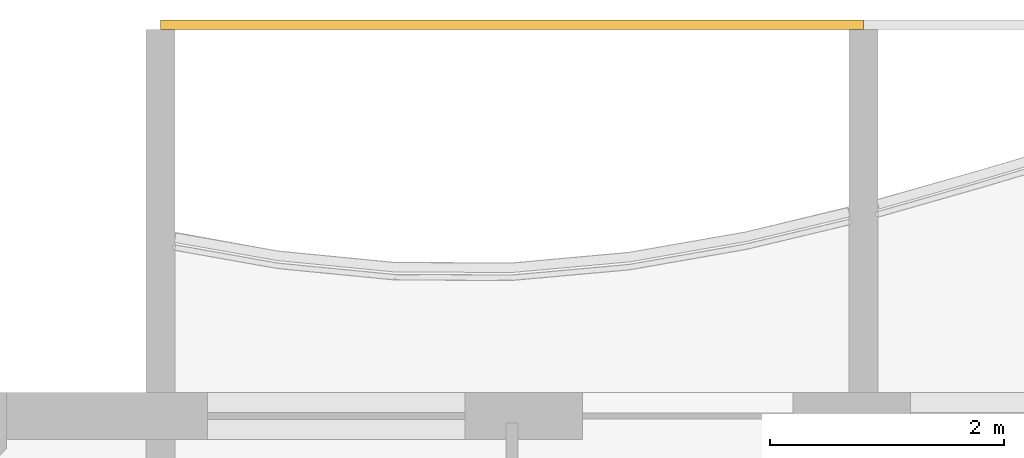
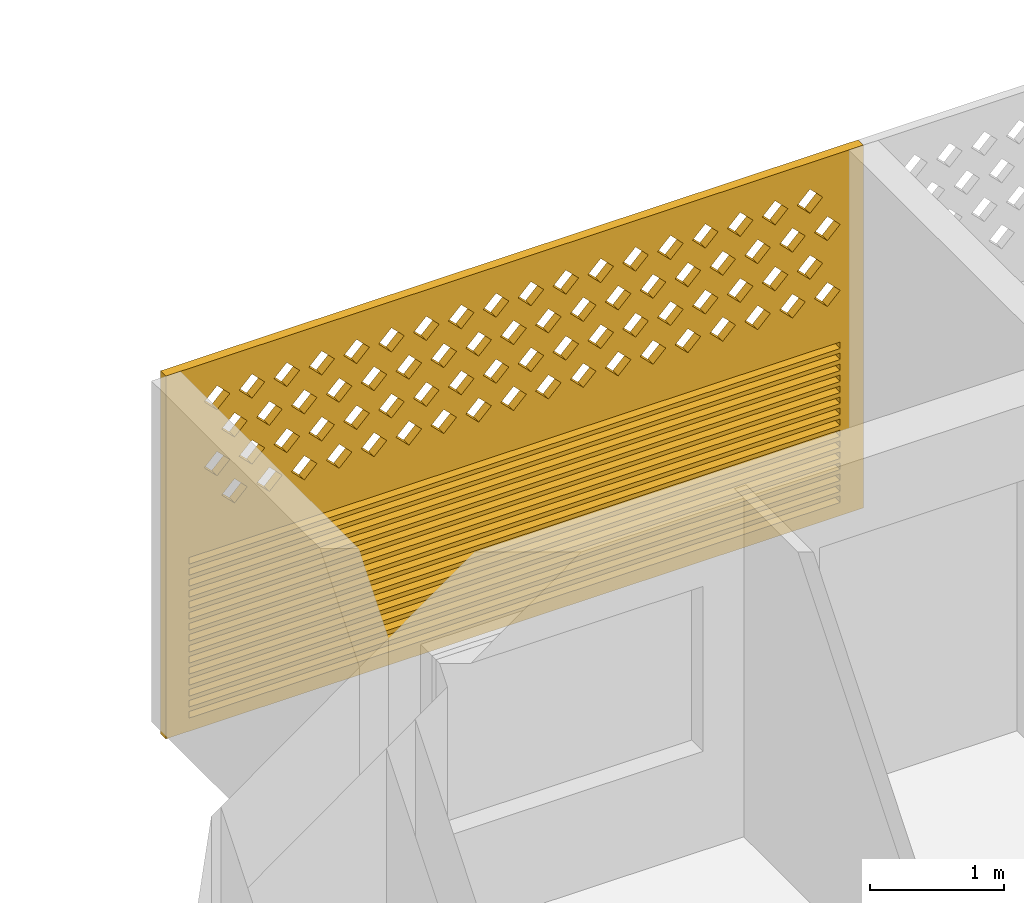
# One storey, part 17 of 27: 1 covering.
"""IFC4 building model written with IfcOpenShell, lengths in metres."""

from ifc_helpers import new_model, si_unit, direction, frame, origin, place, context, subcontext, project, spatial, polyline, outline, extrude, source, transform, mapped, material, material_profile, profile_set, type_object, element, save


model = new_model("IFC4")

# Units and contexts
model_context = context("Model", 3, precision=1e-05, world=origin(), true_north=direction((0.0, 1.0)))
body_context = subcontext(model_context, "Body", "Model", "MODEL_VIEW")
ifc_project = project(units=[si_unit("LENGTHUNIT", "METRE"), si_unit("AREAUNIT", "SQUARE_METRE"), si_unit("VOLUMEUNIT", "CUBIC_METRE"), si_unit("PLANEANGLEUNIT", "RADIAN"), si_unit("MASSUNIT", "GRAM", prefix="KILO")], contexts=[model_context])

# Site, building, storey
site_placement = place(None, origin())
site = spatial("IfcSite", under=ifc_project, at=site_placement, CompositionType="ELEMENT")
building_placement = place(site_placement, origin())
building = spatial("IfcBuilding", under=site, at=building_placement, Name="Poui Terraces", CompositionType="ELEMENT")
storey_placement = place(building_placement, frame((0.0, 0.0, 204.89990234375)))
storey = spatial("IfcBuildingStorey", under=building, at=storey_placement, Name="L57", CompositionType="ELEMENT", Elevation=204.89990234375)

# Covering
ifc_material = material(Name="Terracotta screen", Category="masonry")
ifc_material_profile = material_profile(ifc_material, outline(polyline([(-3.0, -1.64990234375), (3.0, -1.64990234375), (3.0, 1.64990234375), (-3.0, 1.64990234375), (-3.0, -1.64990234375)]), holes=[polyline([(-2.800048828125, 0.39990234375), (-2.68994140625, 0.2900390625), (-2.580078125, 0.39990234375), (-2.68994140625, 0.510009765625), (-2.800048828125, 0.39990234375)]), polyline([(-2.5, 0.39990234375), (-2.389892578125, 0.2900390625), (-2.280029296875, 0.39990234375), (-2.389892578125, 0.510009765625), (-2.5, 0.39990234375)]), polyline([(-2.199951171875, 0.39990234375), (-2.090087890625, 0.2900390625), (-1.97998046875, 0.39990234375), (-2.090087890625, 0.510009765625), (-2.199951171875, 0.39990234375)]), polyline([(-1.89990234375, 0.39990234375), (-1.7900390625, 0.2900390625), (-1.679931640625, 0.39990234375), (-1.7900390625, 0.510009765625), (-1.89990234375, 0.39990234375)]), polyline([(-1.60009765625, 0.39990234375), (-1.489990234375, 0.2900390625), (-1.3798828125, 0.39990234375), (-1.489990234375, 0.510009765625), (-1.60009765625, 0.39990234375)]), polyline([(-1.300048828125, 0.39990234375), (-1.18994140625, 0.2900390625), (-1.080078125, 0.39990234375), (-1.18994140625, 0.510009765625), (-1.300048828125, 0.39990234375)]), polyline([(-1.0, 0.39990234375), (-0.889892578125, 0.2900390625), (-0.780029296875, 0.39990234375), (-0.889892578125, 0.510009765625), (-1.0, 0.39990234375)]), polyline([(-0.699951171875, 0.39990234375), (-0.590087890625, 0.2900390625), (-0.47998046875, 0.39990234375), (-0.590087890625, 0.510009765625), (-0.699951171875, 0.39990234375)]), polyline([(-0.39990234375, 0.39990234375), (-0.2900390625, 0.2900390625), (-0.179931640625, 0.39990234375), (-0.2900390625, 0.510009765625), (-0.39990234375, 0.39990234375)]), polyline([(-0.10009765625, 0.39990234375), (0.010009765625, 0.2900390625), (0.1201171875, 0.39990234375), (0.010009765625, 0.510009765625), (-0.10009765625, 0.39990234375)]), polyline([(0.199951171875, 0.39990234375), (0.31005859375, 0.2900390625), (0.419921875, 0.39990234375), (0.31005859375, 0.510009765625), (0.199951171875, 0.39990234375)]), polyline([(0.5, 0.39990234375), (0.610107421875, 0.2900390625), (0.719970703125, 0.39990234375), (0.610107421875, 0.510009765625), (0.5, 0.39990234375)]), polyline([(0.800048828125, 0.39990234375), (0.909912109375, 0.2900390625), (1.02001953125, 0.39990234375), (0.909912109375, 0.510009765625), (0.800048828125, 0.39990234375)]), polyline([(1.10009765625, 0.39990234375), (1.2099609375, 0.2900390625), (1.320068359375, 0.39990234375), (1.2099609375, 0.510009765625), (1.10009765625, 0.39990234375)]), polyline([(1.39990234375, 0.39990234375), (1.510009765625, 0.2900390625), (1.6201171875, 0.39990234375), (1.510009765625, 0.510009765625), (1.39990234375, 0.39990234375)]), polyline([(1.699951171875, 0.39990234375), (1.81005859375, 0.2900390625), (1.919921875, 0.39990234375), (1.81005859375, 0.510009765625), (1.699951171875, 0.39990234375)]), polyline([(2.0, 0.39990234375), (2.110107421875, 0.2900390625), (2.219970703125, 0.39990234375), (2.110107421875, 0.510009765625), (2.0, 0.39990234375)]), polyline([(2.300048828125, 0.39990234375), (2.409912109375, 0.2900390625), (2.52001953125, 0.39990234375), (2.409912109375, 0.510009765625), (2.300048828125, 0.39990234375)]), polyline([(-2.64990234375, 0.699951171875), (-2.5400390625, 0.590087890625), (-2.429931640625, 0.699951171875), (-2.5400390625, 0.81005859375), (-2.64990234375, 0.699951171875)]), polyline([(-2.35009765625, 0.699951171875), (-2.239990234375, 0.590087890625), (-2.1298828125, 0.699951171875), (-2.239990234375, 0.81005859375), (-2.35009765625, 0.699951171875)]), polyline([(-2.050048828125, 0.699951171875), (-1.93994140625, 0.590087890625), (-1.830078125, 0.699951171875), (-1.93994140625, 0.81005859375), (-2.050048828125, 0.699951171875)]), polyline([(-1.75, 0.699951171875), (-1.639892578125, 0.590087890625), (-1.530029296875, 0.699951171875), (-1.639892578125, 0.81005859375), (-1.75, 0.699951171875)]), polyline([(-1.449951171875, 0.699951171875), (-1.340087890625, 0.590087890625), (-1.22998046875, 0.699951171875), (-1.340087890625, 0.81005859375), (-1.449951171875, 0.699951171875)]), polyline([(-1.14990234375, 0.699951171875), (-1.0400390625, 0.590087890625), (-0.929931640625, 0.699951171875), (-1.0400390625, 0.81005859375), (-1.14990234375, 0.699951171875)]), polyline([(-0.85009765625, 0.699951171875), (-0.739990234375, 0.590087890625), (-0.6298828125, 0.699951171875), (-0.739990234375, 0.81005859375), (-0.85009765625, 0.699951171875)]), polyline([(-0.550048828125, 0.699951171875), (-0.43994140625, 0.590087890625), (-0.330078125, 0.699951171875), (-0.43994140625, 0.81005859375), (-0.550048828125, 0.699951171875)]), polyline([(-0.25, 0.699951171875), (-0.139892578125, 0.590087890625), (-0.030029296875, 0.699951171875), (-0.139892578125, 0.81005859375), (-0.25, 0.699951171875)]), polyline([(0.050048828125, 0.699951171875), (0.159912109375, 0.590087890625), (0.27001953125, 0.699951171875), (0.159912109375, 0.81005859375), (0.050048828125, 0.699951171875)]), polyline([(0.35009765625, 0.699951171875), (0.4599609375, 0.590087890625), (0.570068359375, 0.699951171875), (0.4599609375, 0.81005859375), (0.35009765625, 0.699951171875)]), polyline([(0.64990234375, 0.699951171875), (0.760009765625, 0.590087890625), (0.8701171875, 0.699951171875), (0.760009765625, 0.81005859375), (0.64990234375, 0.699951171875)]), polyline([(0.949951171875, 0.699951171875), (1.06005859375, 0.590087890625), (1.169921875, 0.699951171875), (1.06005859375, 0.81005859375), (0.949951171875, 0.699951171875)]), polyline([(1.25, 0.699951171875), (1.360107421875, 0.590087890625), (1.469970703125, 0.699951171875), (1.360107421875, 0.81005859375), (1.25, 0.699951171875)]), polyline([(1.550048828125, 0.699951171875), (1.659912109375, 0.590087890625), (1.77001953125, 0.699951171875), (1.659912109375, 0.81005859375), (1.550048828125, 0.699951171875)]), polyline([(1.85009765625, 0.699951171875), (1.9599609375, 0.590087890625), (2.070068359375, 0.699951171875), (1.9599609375, 0.81005859375), (1.85009765625, 0.699951171875)]), polyline([(2.14990234375, 0.699951171875), (2.260009765625, 0.590087890625), (2.3701171875, 0.699951171875), (2.260009765625, 0.81005859375), (2.14990234375, 0.699951171875)]), polyline([(2.449951171875, 0.699951171875), (2.56005859375, 0.590087890625), (2.669921875, 0.699951171875), (2.56005859375, 0.81005859375), (2.449951171875, 0.699951171875)]), polyline([(-2.800048828125, 1.0), (-2.68994140625, 0.889892578125), (-2.580078125, 1.0), (-2.68994140625, 1.110107421875), (-2.800048828125, 1.0)]), polyline([(-2.5, 1.0), (-2.389892578125, 0.889892578125), (-2.280029296875, 1.0), (-2.389892578125, 1.110107421875), (-2.5, 1.0)]), polyline([(-2.199951171875, 1.0), (-2.090087890625, 0.889892578125), (-1.97998046875, 1.0), (-2.090087890625, 1.110107421875), (-2.199951171875, 1.0)]), polyline([(-1.89990234375, 1.0), (-1.7900390625, 0.889892578125), (-1.679931640625, 1.0), (-1.7900390625, 1.110107421875), (-1.89990234375, 1.0)]), polyline([(-1.60009765625, 1.0), (-1.489990234375, 0.889892578125), (-1.3798828125, 1.0), (-1.489990234375, 1.110107421875), (-1.60009765625, 1.0)]), polyline([(-1.300048828125, 1.0), (-1.18994140625, 0.889892578125), (-1.080078125, 1.0), (-1.18994140625, 1.110107421875), (-1.300048828125, 1.0)]), polyline([(-1.0, 1.0), (-0.889892578125, 0.889892578125), (-0.780029296875, 1.0), (-0.889892578125, 1.110107421875), (-1.0, 1.0)]), polyline([(-0.699951171875, 1.0), (-0.590087890625, 0.889892578125), (-0.47998046875, 1.0), (-0.590087890625, 1.110107421875), (-0.699951171875, 1.0)]), polyline([(-0.39990234375, 1.0), (-0.2900390625, 0.889892578125), (-0.179931640625, 1.0), (-0.2900390625, 1.110107421875), (-0.39990234375, 1.0)]), polyline([(-0.10009765625, 1.0), (0.010009765625, 0.889892578125), (0.1201171875, 1.0), (0.010009765625, 1.110107421875), (-0.10009765625, 1.0)]), polyline([(0.199951171875, 1.0), (0.31005859375, 0.889892578125), (0.419921875, 1.0), (0.31005859375, 1.110107421875), (0.199951171875, 1.0)]), polyline([(0.5, 1.0), (0.610107421875, 0.889892578125), (0.719970703125, 1.0), (0.610107421875, 1.110107421875), (0.5, 1.0)]), polyline([(0.800048828125, 1.0), (0.909912109375, 0.889892578125), (1.02001953125, 1.0), (0.909912109375, 1.110107421875), (0.800048828125, 1.0)]), polyline([(1.10009765625, 1.0), (1.2099609375, 0.889892578125), (1.320068359375, 1.0), (1.2099609375, 1.110107421875), (1.10009765625, 1.0)]), polyline([(1.39990234375, 1.0), (1.510009765625, 0.889892578125), (1.6201171875, 1.0), (1.510009765625, 1.110107421875), (1.39990234375, 1.0)]), polyline([(1.699951171875, 1.0), (1.81005859375, 0.889892578125), (1.919921875, 1.0), (1.81005859375, 1.110107421875), (1.699951171875, 1.0)]), polyline([(2.0, 1.0), (2.110107421875, 0.889892578125), (2.219970703125, 1.0), (2.110107421875, 1.110107421875), (2.0, 1.0)]), polyline([(2.300048828125, 1.0), (2.409912109375, 0.889892578125), (2.52001953125, 1.0), (2.409912109375, 1.110107421875), (2.300048828125, 1.0)]), polyline([(-2.64990234375, 1.300048828125), (-2.5400390625, 1.18994140625), (-2.429931640625, 1.300048828125), (-2.5400390625, 1.409912109375), (-2.64990234375, 1.300048828125)]), polyline([(-2.35009765625, 1.300048828125), (-2.239990234375, 1.18994140625), (-2.1298828125, 1.300048828125), (-2.239990234375, 1.409912109375), (-2.35009765625, 1.300048828125)]), polyline([(-2.050048828125, 1.300048828125), (-1.93994140625, 1.18994140625), (-1.830078125, 1.300048828125), (-1.93994140625, 1.409912109375), (-2.050048828125, 1.300048828125)]), polyline([(-1.75, 1.300048828125), (-1.639892578125, 1.18994140625), (-1.530029296875, 1.300048828125), (-1.639892578125, 1.409912109375), (-1.75, 1.300048828125)]), polyline([(-1.449951171875, 1.300048828125), (-1.340087890625, 1.18994140625), (-1.22998046875, 1.300048828125), (-1.340087890625, 1.409912109375), (-1.449951171875, 1.300048828125)]), polyline([(-1.14990234375, 1.300048828125), (-1.0400390625, 1.18994140625), (-0.929931640625, 1.300048828125), (-1.0400390625, 1.409912109375), (-1.14990234375, 1.300048828125)]), polyline([(-0.85009765625, 1.300048828125), (-0.739990234375, 1.18994140625), (-0.6298828125, 1.300048828125), (-0.739990234375, 1.409912109375), (-0.85009765625, 1.300048828125)]), polyline([(-0.550048828125, 1.300048828125), (-0.43994140625, 1.18994140625), (-0.330078125, 1.300048828125), (-0.43994140625, 1.409912109375), (-0.550048828125, 1.300048828125)]), polyline([(-0.25, 1.300048828125), (-0.139892578125, 1.18994140625), (-0.030029296875, 1.300048828125), (-0.139892578125, 1.409912109375), (-0.25, 1.300048828125)]), polyline([(0.050048828125, 1.300048828125), (0.159912109375, 1.18994140625), (0.27001953125, 1.300048828125), (0.159912109375, 1.409912109375), (0.050048828125, 1.300048828125)]), polyline([(0.35009765625, 1.300048828125), (0.4599609375, 1.18994140625), (0.570068359375, 1.300048828125), (0.4599609375, 1.409912109375), (0.35009765625, 1.300048828125)]), polyline([(0.64990234375, 1.300048828125), (0.760009765625, 1.18994140625), (0.8701171875, 1.300048828125), (0.760009765625, 1.409912109375), (0.64990234375, 1.300048828125)]), polyline([(0.949951171875, 1.300048828125), (1.06005859375, 1.18994140625), (1.169921875, 1.300048828125), (1.06005859375, 1.409912109375), (0.949951171875, 1.300048828125)]), polyline([(1.25, 1.300048828125), (1.360107421875, 1.18994140625), (1.469970703125, 1.300048828125), (1.360107421875, 1.409912109375), (1.25, 1.300048828125)]), polyline([(1.550048828125, 1.300048828125), (1.659912109375, 1.18994140625), (1.77001953125, 1.300048828125), (1.659912109375, 1.409912109375), (1.550048828125, 1.300048828125)]), polyline([(1.85009765625, 1.300048828125), (1.9599609375, 1.18994140625), (2.070068359375, 1.300048828125), (1.9599609375, 1.409912109375), (1.85009765625, 1.300048828125)]), polyline([(2.14990234375, 1.300048828125), (2.260009765625, 1.18994140625), (2.3701171875, 1.300048828125), (2.260009765625, 1.409912109375), (2.14990234375, 1.300048828125)]), polyline([(2.449951171875, 1.300048828125), (2.56005859375, 1.18994140625), (2.669921875, 1.300048828125), (2.56005859375, 1.409912109375), (2.449951171875, 1.300048828125)]), polyline([(-2.800048828125, -1.530029296875), (2.800048828125, -1.530029296875), (2.800048828125, -1.469970703125), (-2.800048828125, -1.469970703125), (-2.800048828125, -1.530029296875)]), polyline([(-2.800048828125, -1.429931640625), (2.800048828125, -1.429931640625), (2.800048828125, -1.3701171875), (-2.800048828125, -1.3701171875), (-2.800048828125, -1.429931640625)]), polyline([(-2.800048828125, -1.330078125), (2.800048828125, -1.330078125), (2.800048828125, -1.27001953125), (-2.800048828125, -1.27001953125), (-2.800048828125, -1.330078125)]), polyline([(-2.800048828125, -1.22998046875), (2.800048828125, -1.22998046875), (2.800048828125, -1.169921875), (-2.800048828125, -1.169921875), (-2.800048828125, -1.22998046875)]), polyline([(-2.800048828125, -1.1298828125), (2.800048828125, -1.1298828125), (2.800048828125, -1.070068359375), (-2.800048828125, -1.070068359375), (-2.800048828125, -1.1298828125)]), polyline([(-2.800048828125, -1.030029296875), (2.800048828125, -1.030029296875), (2.800048828125, -0.969970703125), (-2.800048828125, -0.969970703125), (-2.800048828125, -1.030029296875)]), polyline([(-2.800048828125, -0.929931640625), (2.800048828125, -0.929931640625), (2.800048828125, -0.8701171875), (-2.800048828125, -0.8701171875), (-2.800048828125, -0.929931640625)]), polyline([(-2.800048828125, -0.830078125), (2.800048828125, -0.830078125), (2.800048828125, -0.77001953125), (-2.800048828125, -0.77001953125), (-2.800048828125, -0.830078125)]), polyline([(-2.800048828125, -0.72998046875), (2.800048828125, -0.72998046875), (2.800048828125, -0.669921875), (-2.800048828125, -0.669921875), (-2.800048828125, -0.72998046875)]), polyline([(-2.800048828125, -0.6298828125), (2.800048828125, -0.6298828125), (2.800048828125, -0.570068359375), (-2.800048828125, -0.570068359375), (-2.800048828125, -0.6298828125)]), polyline([(-2.800048828125, -0.530029296875), (2.800048828125, -0.530029296875), (2.800048828125, -0.469970703125), (-2.800048828125, -0.469970703125), (-2.800048828125, -0.530029296875)]), polyline([(-2.800048828125, -0.429931640625), (2.800048828125, -0.429931640625), (2.800048828125, -0.3701171875), (-2.800048828125, -0.3701171875), (-2.800048828125, -0.429931640625)]), polyline([(-2.800048828125, -0.330078125), (2.800048828125, -0.330078125), (2.800048828125, -0.27001953125), (-2.800048828125, -0.27001953125), (-2.800048828125, -0.330078125)]), polyline([(-2.800048828125, -0.22998046875), (2.800048828125, -0.22998046875), (2.800048828125, -0.169921875), (-2.800048828125, -0.169921875), (-2.800048828125, -0.22998046875)]), polyline([(-2.800048828125, -0.1298828125), (2.800048828125, -0.1298828125), (2.800048828125, -0.070068359375), (-2.800048828125, -0.070068359375), (-2.800048828125, -0.1298828125)])]), Name="TERRACOTTA SCREEN AND JALOUSIE LOUVRE 6000X3300")
ifc_profile_set = profile_set([ifc_material_profile], Name="Terracotta screen")
covering_type = type_object("IfcCoveringType", Name="TERRACOTTA SCREEN AND JALOUSIE LOUVRE 6000X3300", PredefinedType="CLADDING", material=ifc_profile_set)
shared_shape = source(origin(), body_context, "Body", "SweptSolid", [
    extrude(outline(polyline([(-3.0, -1.64990234375), (3.0, -1.64990234375), (3.0, 1.64990234375), (-3.0, 1.64990234375), (-3.0, -1.64990234375)]), holes=[polyline([(-2.800048828125, 0.39990234375), (-2.68994140625, 0.2900390625), (-2.580078125, 0.39990234375), (-2.68994140625, 0.510009765625), (-2.800048828125, 0.39990234375)]), polyline([(-2.5, 0.39990234375), (-2.389892578125, 0.2900390625), (-2.280029296875, 0.39990234375), (-2.389892578125, 0.510009765625), (-2.5, 0.39990234375)]), polyline([(-2.199951171875, 0.39990234375), (-2.090087890625, 0.2900390625), (-1.97998046875, 0.39990234375), (-2.090087890625, 0.510009765625), (-2.199951171875, 0.39990234375)]), polyline([(-1.89990234375, 0.39990234375), (-1.7900390625, 0.2900390625), (-1.679931640625, 0.39990234375), (-1.7900390625, 0.510009765625), (-1.89990234375, 0.39990234375)]), polyline([(-1.60009765625, 0.39990234375), (-1.489990234375, 0.2900390625), (-1.3798828125, 0.39990234375), (-1.489990234375, 0.510009765625), (-1.60009765625, 0.39990234375)]), polyline([(-1.300048828125, 0.39990234375), (-1.18994140625, 0.2900390625), (-1.080078125, 0.39990234375), (-1.18994140625, 0.510009765625), (-1.300048828125, 0.39990234375)]), polyline([(-1.0, 0.39990234375), (-0.889892578125, 0.2900390625), (-0.780029296875, 0.39990234375), (-0.889892578125, 0.510009765625), (-1.0, 0.39990234375)]), polyline([(-0.699951171875, 0.39990234375), (-0.590087890625, 0.2900390625), (-0.47998046875, 0.39990234375), (-0.590087890625, 0.510009765625), (-0.699951171875, 0.39990234375)]), polyline([(-0.39990234375, 0.39990234375), (-0.2900390625, 0.2900390625), (-0.179931640625, 0.39990234375), (-0.2900390625, 0.510009765625), (-0.39990234375, 0.39990234375)]), polyline([(-0.10009765625, 0.39990234375), (0.010009765625, 0.2900390625), (0.1201171875, 0.39990234375), (0.010009765625, 0.510009765625), (-0.10009765625, 0.39990234375)]), polyline([(0.199951171875, 0.39990234375), (0.31005859375, 0.2900390625), (0.419921875, 0.39990234375), (0.31005859375, 0.510009765625), (0.199951171875, 0.39990234375)]), polyline([(0.5, 0.39990234375), (0.610107421875, 0.2900390625), (0.719970703125, 0.39990234375), (0.610107421875, 0.510009765625), (0.5, 0.39990234375)]), polyline([(0.800048828125, 0.39990234375), (0.909912109375, 0.2900390625), (1.02001953125, 0.39990234375), (0.909912109375, 0.510009765625), (0.800048828125, 0.39990234375)]), polyline([(1.10009765625, 0.39990234375), (1.2099609375, 0.2900390625), (1.320068359375, 0.39990234375), (1.2099609375, 0.510009765625), (1.10009765625, 0.39990234375)]), polyline([(1.39990234375, 0.39990234375), (1.510009765625, 0.2900390625), (1.6201171875, 0.39990234375), (1.510009765625, 0.510009765625), (1.39990234375, 0.39990234375)]), polyline([(1.699951171875, 0.39990234375), (1.81005859375, 0.2900390625), (1.919921875, 0.39990234375), (1.81005859375, 0.510009765625), (1.699951171875, 0.39990234375)]), polyline([(2.0, 0.39990234375), (2.110107421875, 0.2900390625), (2.219970703125, 0.39990234375), (2.110107421875, 0.510009765625), (2.0, 0.39990234375)]), polyline([(2.300048828125, 0.39990234375), (2.409912109375, 0.2900390625), (2.52001953125, 0.39990234375), (2.409912109375, 0.510009765625), (2.300048828125, 0.39990234375)]), polyline([(-2.64990234375, 0.699951171875), (-2.5400390625, 0.590087890625), (-2.429931640625, 0.699951171875), (-2.5400390625, 0.81005859375), (-2.64990234375, 0.699951171875)]), polyline([(-2.35009765625, 0.699951171875), (-2.239990234375, 0.590087890625), (-2.1298828125, 0.699951171875), (-2.239990234375, 0.81005859375), (-2.35009765625, 0.699951171875)]), polyline([(-2.050048828125, 0.699951171875), (-1.93994140625, 0.590087890625), (-1.830078125, 0.699951171875), (-1.93994140625, 0.81005859375), (-2.050048828125, 0.699951171875)]), polyline([(-1.75, 0.699951171875), (-1.639892578125, 0.590087890625), (-1.530029296875, 0.699951171875), (-1.639892578125, 0.81005859375), (-1.75, 0.699951171875)]), polyline([(-1.449951171875, 0.699951171875), (-1.340087890625, 0.590087890625), (-1.22998046875, 0.699951171875), (-1.340087890625, 0.81005859375), (-1.449951171875, 0.699951171875)]), polyline([(-1.14990234375, 0.699951171875), (-1.0400390625, 0.590087890625), (-0.929931640625, 0.699951171875), (-1.0400390625, 0.81005859375), (-1.14990234375, 0.699951171875)]), polyline([(-0.85009765625, 0.699951171875), (-0.739990234375, 0.590087890625), (-0.6298828125, 0.699951171875), (-0.739990234375, 0.81005859375), (-0.85009765625, 0.699951171875)]), polyline([(-0.550048828125, 0.699951171875), (-0.43994140625, 0.590087890625), (-0.330078125, 0.699951171875), (-0.43994140625, 0.81005859375), (-0.550048828125, 0.699951171875)]), polyline([(-0.25, 0.699951171875), (-0.139892578125, 0.590087890625), (-0.030029296875, 0.699951171875), (-0.139892578125, 0.81005859375), (-0.25, 0.699951171875)]), polyline([(0.050048828125, 0.699951171875), (0.159912109375, 0.590087890625), (0.27001953125, 0.699951171875), (0.159912109375, 0.81005859375), (0.050048828125, 0.699951171875)]), polyline([(0.35009765625, 0.699951171875), (0.4599609375, 0.590087890625), (0.570068359375, 0.699951171875), (0.4599609375, 0.81005859375), (0.35009765625, 0.699951171875)]), polyline([(0.64990234375, 0.699951171875), (0.760009765625, 0.590087890625), (0.8701171875, 0.699951171875), (0.760009765625, 0.81005859375), (0.64990234375, 0.699951171875)]), polyline([(0.949951171875, 0.699951171875), (1.06005859375, 0.590087890625), (1.169921875, 0.699951171875), (1.06005859375, 0.81005859375), (0.949951171875, 0.699951171875)]), polyline([(1.25, 0.699951171875), (1.360107421875, 0.590087890625), (1.469970703125, 0.699951171875), (1.360107421875, 0.81005859375), (1.25, 0.699951171875)]), polyline([(1.550048828125, 0.699951171875), (1.659912109375, 0.590087890625), (1.77001953125, 0.699951171875), (1.659912109375, 0.81005859375), (1.550048828125, 0.699951171875)]), polyline([(1.85009765625, 0.699951171875), (1.9599609375, 0.590087890625), (2.070068359375, 0.699951171875), (1.9599609375, 0.81005859375), (1.85009765625, 0.699951171875)]), polyline([(2.14990234375, 0.699951171875), (2.260009765625, 0.590087890625), (2.3701171875, 0.699951171875), (2.260009765625, 0.81005859375), (2.14990234375, 0.699951171875)]), polyline([(2.449951171875, 0.699951171875), (2.56005859375, 0.590087890625), (2.669921875, 0.699951171875), (2.56005859375, 0.81005859375), (2.449951171875, 0.699951171875)]), polyline([(-2.800048828125, 1.0), (-2.68994140625, 0.889892578125), (-2.580078125, 1.0), (-2.68994140625, 1.110107421875), (-2.800048828125, 1.0)]), polyline([(-2.5, 1.0), (-2.389892578125, 0.889892578125), (-2.280029296875, 1.0), (-2.389892578125, 1.110107421875), (-2.5, 1.0)]), polyline([(-2.199951171875, 1.0), (-2.090087890625, 0.889892578125), (-1.97998046875, 1.0), (-2.090087890625, 1.110107421875), (-2.199951171875, 1.0)]), polyline([(-1.89990234375, 1.0), (-1.7900390625, 0.889892578125), (-1.679931640625, 1.0), (-1.7900390625, 1.110107421875), (-1.89990234375, 1.0)]), polyline([(-1.60009765625, 1.0), (-1.489990234375, 0.889892578125), (-1.3798828125, 1.0), (-1.489990234375, 1.110107421875), (-1.60009765625, 1.0)]), polyline([(-1.300048828125, 1.0), (-1.18994140625, 0.889892578125), (-1.080078125, 1.0), (-1.18994140625, 1.110107421875), (-1.300048828125, 1.0)]), polyline([(-1.0, 1.0), (-0.889892578125, 0.889892578125), (-0.780029296875, 1.0), (-0.889892578125, 1.110107421875), (-1.0, 1.0)]), polyline([(-0.699951171875, 1.0), (-0.590087890625, 0.889892578125), (-0.47998046875, 1.0), (-0.590087890625, 1.110107421875), (-0.699951171875, 1.0)]), polyline([(-0.39990234375, 1.0), (-0.2900390625, 0.889892578125), (-0.179931640625, 1.0), (-0.2900390625, 1.110107421875), (-0.39990234375, 1.0)]), polyline([(-0.10009765625, 1.0), (0.010009765625, 0.889892578125), (0.1201171875, 1.0), (0.010009765625, 1.110107421875), (-0.10009765625, 1.0)]), polyline([(0.199951171875, 1.0), (0.31005859375, 0.889892578125), (0.419921875, 1.0), (0.31005859375, 1.110107421875), (0.199951171875, 1.0)]), polyline([(0.5, 1.0), (0.610107421875, 0.889892578125), (0.719970703125, 1.0), (0.610107421875, 1.110107421875), (0.5, 1.0)]), polyline([(0.800048828125, 1.0), (0.909912109375, 0.889892578125), (1.02001953125, 1.0), (0.909912109375, 1.110107421875), (0.800048828125, 1.0)]), polyline([(1.10009765625, 1.0), (1.2099609375, 0.889892578125), (1.320068359375, 1.0), (1.2099609375, 1.110107421875), (1.10009765625, 1.0)]), polyline([(1.39990234375, 1.0), (1.510009765625, 0.889892578125), (1.6201171875, 1.0), (1.510009765625, 1.110107421875), (1.39990234375, 1.0)]), polyline([(1.699951171875, 1.0), (1.81005859375, 0.889892578125), (1.919921875, 1.0), (1.81005859375, 1.110107421875), (1.699951171875, 1.0)]), polyline([(2.0, 1.0), (2.110107421875, 0.889892578125), (2.219970703125, 1.0), (2.110107421875, 1.110107421875), (2.0, 1.0)]), polyline([(2.300048828125, 1.0), (2.409912109375, 0.889892578125), (2.52001953125, 1.0), (2.409912109375, 1.110107421875), (2.300048828125, 1.0)]), polyline([(-2.64990234375, 1.300048828125), (-2.5400390625, 1.18994140625), (-2.429931640625, 1.300048828125), (-2.5400390625, 1.409912109375), (-2.64990234375, 1.300048828125)]), polyline([(-2.35009765625, 1.300048828125), (-2.239990234375, 1.18994140625), (-2.1298828125, 1.300048828125), (-2.239990234375, 1.409912109375), (-2.35009765625, 1.300048828125)]), polyline([(-2.050048828125, 1.300048828125), (-1.93994140625, 1.18994140625), (-1.830078125, 1.300048828125), (-1.93994140625, 1.409912109375), (-2.050048828125, 1.300048828125)]), polyline([(-1.75, 1.300048828125), (-1.639892578125, 1.18994140625), (-1.530029296875, 1.300048828125), (-1.639892578125, 1.409912109375), (-1.75, 1.300048828125)]), polyline([(-1.449951171875, 1.300048828125), (-1.340087890625, 1.18994140625), (-1.22998046875, 1.300048828125), (-1.340087890625, 1.409912109375), (-1.449951171875, 1.300048828125)]), polyline([(-1.14990234375, 1.300048828125), (-1.0400390625, 1.18994140625), (-0.929931640625, 1.300048828125), (-1.0400390625, 1.409912109375), (-1.14990234375, 1.300048828125)]), polyline([(-0.85009765625, 1.300048828125), (-0.739990234375, 1.18994140625), (-0.6298828125, 1.300048828125), (-0.739990234375, 1.409912109375), (-0.85009765625, 1.300048828125)]), polyline([(-0.550048828125, 1.300048828125), (-0.43994140625, 1.18994140625), (-0.330078125, 1.300048828125), (-0.43994140625, 1.409912109375), (-0.550048828125, 1.300048828125)]), polyline([(-0.25, 1.300048828125), (-0.139892578125, 1.18994140625), (-0.030029296875, 1.300048828125), (-0.139892578125, 1.409912109375), (-0.25, 1.300048828125)]), polyline([(0.050048828125, 1.300048828125), (0.159912109375, 1.18994140625), (0.27001953125, 1.300048828125), (0.159912109375, 1.409912109375), (0.050048828125, 1.300048828125)]), polyline([(0.35009765625, 1.300048828125), (0.4599609375, 1.18994140625), (0.570068359375, 1.300048828125), (0.4599609375, 1.409912109375), (0.35009765625, 1.300048828125)]), polyline([(0.64990234375, 1.300048828125), (0.760009765625, 1.18994140625), (0.8701171875, 1.300048828125), (0.760009765625, 1.409912109375), (0.64990234375, 1.300048828125)]), polyline([(0.949951171875, 1.300048828125), (1.06005859375, 1.18994140625), (1.169921875, 1.300048828125), (1.06005859375, 1.409912109375), (0.949951171875, 1.300048828125)]), polyline([(1.25, 1.300048828125), (1.360107421875, 1.18994140625), (1.469970703125, 1.300048828125), (1.360107421875, 1.409912109375), (1.25, 1.300048828125)]), polyline([(1.550048828125, 1.300048828125), (1.659912109375, 1.18994140625), (1.77001953125, 1.300048828125), (1.659912109375, 1.409912109375), (1.550048828125, 1.300048828125)]), polyline([(1.85009765625, 1.300048828125), (1.9599609375, 1.18994140625), (2.070068359375, 1.300048828125), (1.9599609375, 1.409912109375), (1.85009765625, 1.300048828125)]), polyline([(2.14990234375, 1.300048828125), (2.260009765625, 1.18994140625), (2.3701171875, 1.300048828125), (2.260009765625, 1.409912109375), (2.14990234375, 1.300048828125)]), polyline([(2.449951171875, 1.300048828125), (2.56005859375, 1.18994140625), (2.669921875, 1.300048828125), (2.56005859375, 1.409912109375), (2.449951171875, 1.300048828125)]), polyline([(-2.800048828125, -1.530029296875), (2.800048828125, -1.530029296875), (2.800048828125, -1.469970703125), (-2.800048828125, -1.469970703125), (-2.800048828125, -1.530029296875)]), polyline([(-2.800048828125, -1.429931640625), (2.800048828125, -1.429931640625), (2.800048828125, -1.3701171875), (-2.800048828125, -1.3701171875), (-2.800048828125, -1.429931640625)]), polyline([(-2.800048828125, -1.330078125), (2.800048828125, -1.330078125), (2.800048828125, -1.27001953125), (-2.800048828125, -1.27001953125), (-2.800048828125, -1.330078125)]), polyline([(-2.800048828125, -1.22998046875), (2.800048828125, -1.22998046875), (2.800048828125, -1.169921875), (-2.800048828125, -1.169921875), (-2.800048828125, -1.22998046875)]), polyline([(-2.800048828125, -1.1298828125), (2.800048828125, -1.1298828125), (2.800048828125, -1.070068359375), (-2.800048828125, -1.070068359375), (-2.800048828125, -1.1298828125)]), polyline([(-2.800048828125, -1.030029296875), (2.800048828125, -1.030029296875), (2.800048828125, -0.969970703125), (-2.800048828125, -0.969970703125), (-2.800048828125, -1.030029296875)]), polyline([(-2.800048828125, -0.929931640625), (2.800048828125, -0.929931640625), (2.800048828125, -0.8701171875), (-2.800048828125, -0.8701171875), (-2.800048828125, -0.929931640625)]), polyline([(-2.800048828125, -0.830078125), (2.800048828125, -0.830078125), (2.800048828125, -0.77001953125), (-2.800048828125, -0.77001953125), (-2.800048828125, -0.830078125)]), polyline([(-2.800048828125, -0.72998046875), (2.800048828125, -0.72998046875), (2.800048828125, -0.669921875), (-2.800048828125, -0.669921875), (-2.800048828125, -0.72998046875)]), polyline([(-2.800048828125, -0.6298828125), (2.800048828125, -0.6298828125), (2.800048828125, -0.570068359375), (-2.800048828125, -0.570068359375), (-2.800048828125, -0.6298828125)]), polyline([(-2.800048828125, -0.530029296875), (2.800048828125, -0.530029296875), (2.800048828125, -0.469970703125), (-2.800048828125, -0.469970703125), (-2.800048828125, -0.530029296875)]), polyline([(-2.800048828125, -0.429931640625), (2.800048828125, -0.429931640625), (2.800048828125, -0.3701171875), (-2.800048828125, -0.3701171875), (-2.800048828125, -0.429931640625)]), polyline([(-2.800048828125, -0.330078125), (2.800048828125, -0.330078125), (2.800048828125, -0.27001953125), (-2.800048828125, -0.27001953125), (-2.800048828125, -0.330078125)]), polyline([(-2.800048828125, -0.22998046875), (2.800048828125, -0.22998046875), (2.800048828125, -0.169921875), (-2.800048828125, -0.169921875), (-2.800048828125, -0.22998046875)]), polyline([(-2.800048828125, -0.1298828125), (2.800048828125, -0.1298828125), (2.800048828125, -0.070068359375), (-2.800048828125, -0.070068359375), (-2.800048828125, -0.1298828125)])]), origin(), (0.0, 0.0, 1.0), 0.080078125),
])
covering_placement = place(storey_placement, frame((27.0, 44.5, 1.4501953125), z_axis=(0.0, 1.0, 0.0), x_axis=(-1.0, 0.0, 0.0)))
element("IfcCovering", 1, at=covering_placement, inside=storey, type_object=covering_type, Name="SOLAR SCREEN AND JALOUSIE LOUVRE", PredefinedType="CLADDING", context=body_context, shape_type="MappedRepresentation", body=[
    mapped(shared_shape, transform((0.0, 0.0, 0.0))),
])

save(model, "model.ifc")
